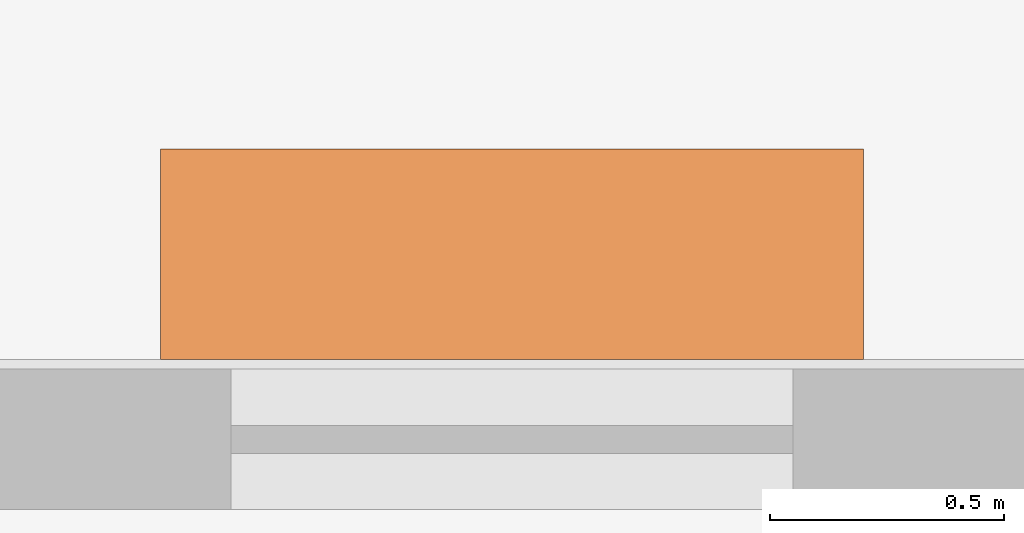
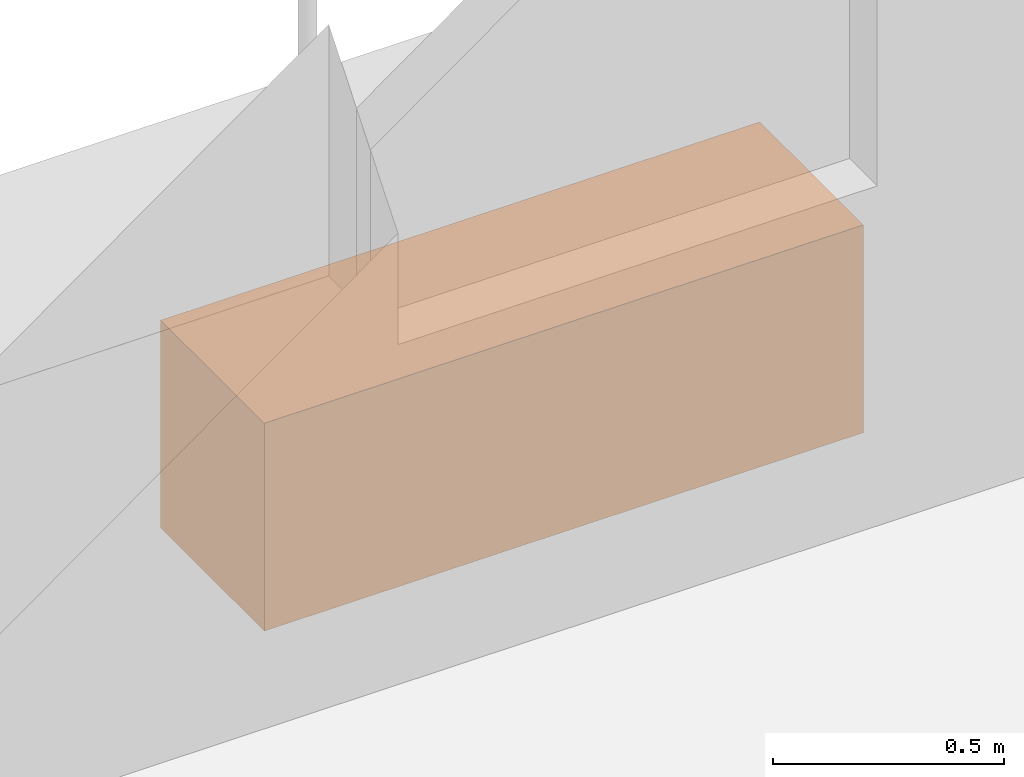
# One storey, part 10 of 10: 1 proxy.
"""IFC4 building model written with IfcOpenShell, lengths in metres."""

from ifc_helpers import new_model, si_unit, direction, frame, origin, origin_2d, place, context, subcontext, project, spatial, rectangle, extrude, element, save


model = new_model("IFC4")

# Units and contexts
model_context = context("Model", 3, precision=1e-05, world=origin(), true_north=direction((0.0, 1.0)))
body_context = subcontext(model_context, "Body", "Model", "MODEL_VIEW")
ifc_project = project(units=[si_unit("LENGTHUNIT", "METRE"), si_unit("AREAUNIT", "SQUARE_METRE"), si_unit("VOLUMEUNIT", "CUBIC_METRE"), si_unit("PLANEANGLEUNIT", "RADIAN"), si_unit("MASSUNIT", "GRAM", prefix="KILO")], contexts=[model_context])

# Site, building, storey
site_placement = place(None, origin())
site = spatial("IfcSite", under=ifc_project, at=site_placement, CompositionType="ELEMENT")
building_placement = place(site_placement, origin())
building = spatial("IfcBuilding", under=site, at=building_placement, Name="Candeia Pilgrim Tower and Theatre", CompositionType="ELEMENT")
storey_placement = place(building_placement, frame((0.0, 0.0, 288.60009765625)))
storey = spatial("IfcBuildingStorey", under=building, at=storey_placement, Name="L70", CompositionType="ELEMENT", Elevation=288.60009765625)

# Proxy
proxy_placement = place(storey_placement, frame((128.10009765625, 143.544921875, 0.0), z_axis=(0.0, 0.0, 1.0), x_axis=(-1.0, 0.0, 0.0)))
element("IfcBuildingElementProxy", 1, at=proxy_placement, inside=storey, Name="Planter", ObjectType="PLANTER", PredefinedType="USERDEFINED", context=body_context, shape_type="SweptSolid", body=[
    extrude(rectangle(XDim=1.5, YDim=0.449951171875, at=origin_2d()), origin(), (0.0, 0.0, 1.0), 0.550048828125),
])

save(model, "model.ifc")
